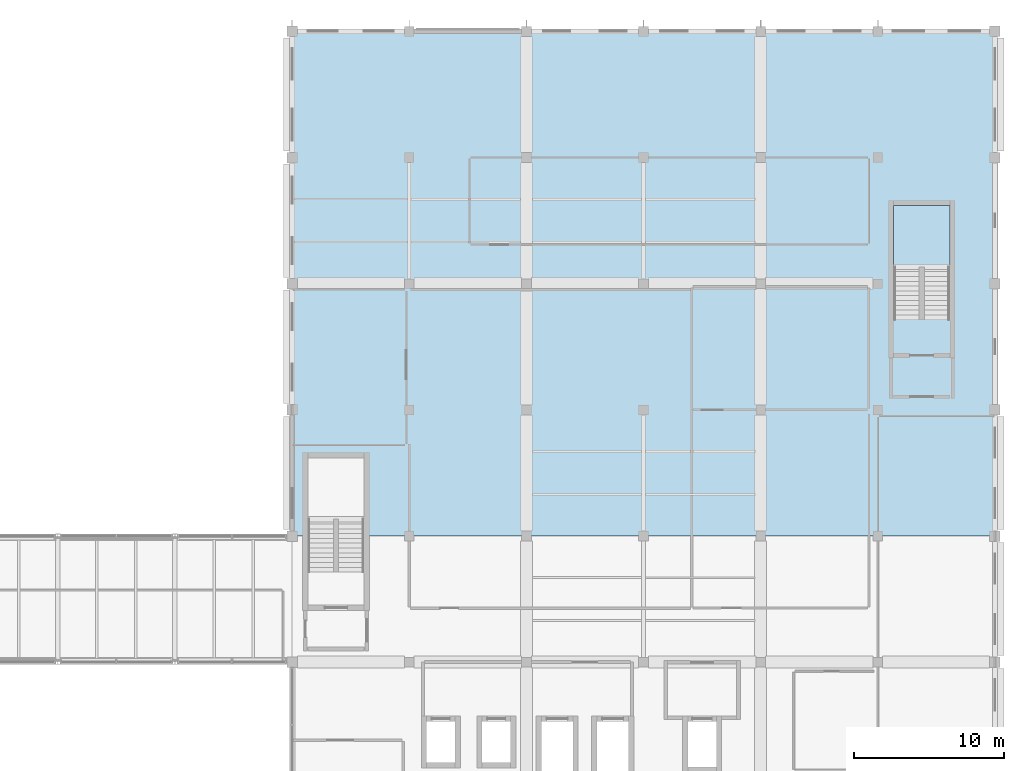
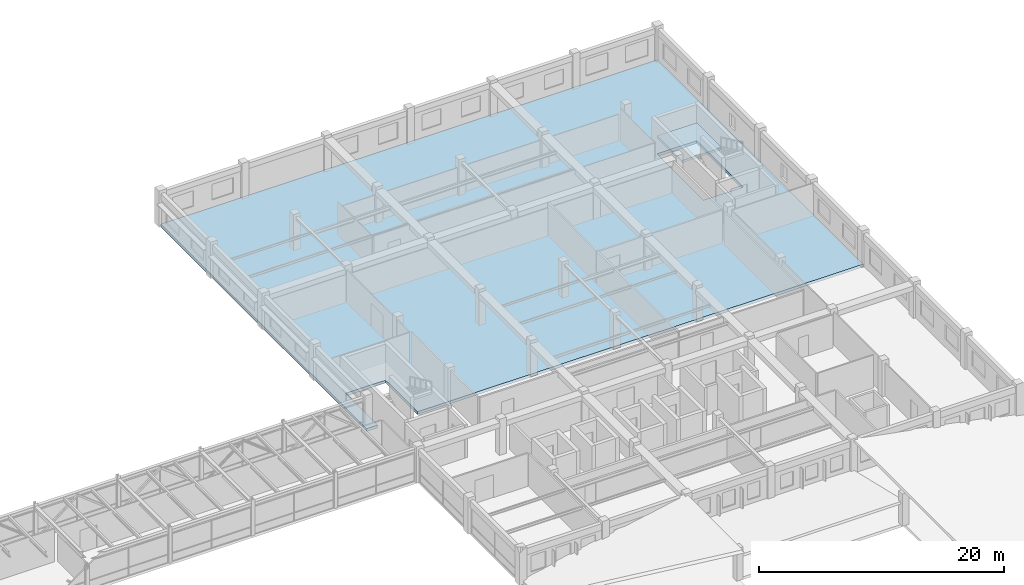
# One storey, part 32 of 49: 2 slabs, 1 element without a shape of its own.
"""IFC4 building model written with IfcOpenShell, lengths in metres."""

from ifc_helpers import new_model, si_unit, direction, frame, origin, place, context, subcontext, project, spatial, polyline, outline, extrude, material, layer, layer_set, type_object, element, aggregate, save


model = new_model("IFC4")

# Units and contexts
model_context = context("Model", 3, precision=1e-05, world=origin(), true_north=direction((0.0, 1.0)))
body_context = subcontext(model_context, "Body", "Model", "MODEL_VIEW")
ifc_project = project(units=[si_unit("LENGTHUNIT", "METRE"), si_unit("AREAUNIT", "SQUARE_METRE"), si_unit("VOLUMEUNIT", "CUBIC_METRE"), si_unit("PLANEANGLEUNIT", "RADIAN"), si_unit("MASSUNIT", "GRAM", prefix="KILO"), si_unit("THERMODYNAMICTEMPERATUREUNIT", "KELVIN"), si_unit("POWERUNIT", "WATT")], contexts=[model_context])

# Site, building, storey
site_placement = place(None, origin())
site = spatial("IfcSite", under=ifc_project, at=site_placement, CompositionType="ELEMENT")
building_placement = place(site_placement, origin())
building = spatial("IfcBuilding", under=site, at=building_placement, Name="Srebrne Nadtorze General Hospital", CompositionType="ELEMENT")
storey_placement = place(building_placement, frame((0.0, 0.0, 26.10009765625)))
storey = spatial("IfcBuildingStorey", under=building, at=storey_placement, Name="L06", CompositionType="ELEMENT", Elevation=26.10009765625)

# Slab
ifc_material_1 = material(Name="Concrete C35/45", Category="concrete")
ifc_layer_1 = layer(ifc_material_1, 0.280029296875)
ifc_layer_set_1 = layer_set([ifc_layer_1], Name="Concrete C35/45")
slab_type_1 = type_object("IfcSlabType", Name="Interstitial slab 280", PredefinedType="FLOOR", material=ifc_layer_set_1)
slab_1_placement = place(storey_placement, frame((0.0, 0.0, -0.280029296875)))
element("IfcSlab", 1, at=slab_1_placement, inside=storey, type_object=slab_type_1, Name="Suspended floor slab SL-L06-EN", PredefinedType="FLOOR", context=body_context, shape_type="SweptSolid", body=[
    extrude(outline(polyline([(102.449951171875, 58.800048828125), (102.449951171875, 64.0), (106.199951171875, 64.0), (106.199951171875, 58.800048828125), (148.199951171875, 58.800048828125), (148.199951171875, 92.39990234375), (101.39990234375, 92.39990234375), (101.39990234375, 58.800048828125), (102.449951171875, 58.800048828125)]), holes=[polyline([(141.449951171875, 73.205078125), (141.449951171875, 80.800048828125), (145.199951171875, 80.800048828125), (145.199951171875, 73.205078125), (141.449951171875, 73.205078125)])]), origin(), (0.0, 0.0, 1.0), 0.280029296875),
])

# Stair, slab
ifc_material_2 = material(Name="Concrete C35/45", Category="concrete")
stair_type = type_object("IfcStairType", Name="Dog-leg escape stair 360", PredefinedType="HALF_TURN_STAIR", material=ifc_material_2)
stair_placement = place(storey_placement, origin())
stair = element("IfcStair", 2, at=stair_placement, inside=storey, type_object=stair_type, Name="Escape stair ST-04-L06", PredefinedType="HALF_TURN_STAIR")
ifc_material_3 = material(Name="Concrete C35/45", Category="concrete")
ifc_layer_2 = layer(ifc_material_3, 0.219970703125)
ifc_layer_set_2 = layer_set([ifc_layer_2], Name="Concrete C35/45")
slab_type_2 = type_object("IfcSlabType", Name="Stair landing slab 220", PredefinedType="LANDING", material=ifc_layer_set_2)
slab_2_placement = place(storey_placement, frame((0.0, 0.0, 1.579833984375)))
slab_2 = element("IfcSlab", 3, at=slab_2_placement, type_object=slab_type_2, Name="ST-04 landing 1", PredefinedType="LANDING", context=body_context, shape_type="SweptSolid", body=[
    extrude(outline(polyline([(141.449951171875, 76.719970703125), (145.199951171875, 76.719970703125), (145.199951171875, 80.800048828125), (141.449951171875, 80.800048828125), (141.449951171875, 76.719970703125)])), origin(), (0.0, 0.0, 1.0), 0.219970703125),
])
aggregate(stair, [slab_2])

save(model, "model.ifc")
